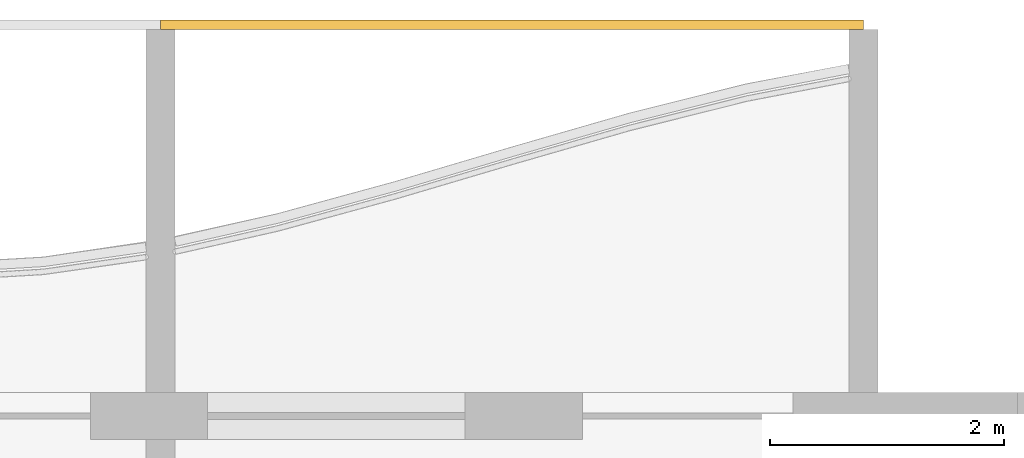
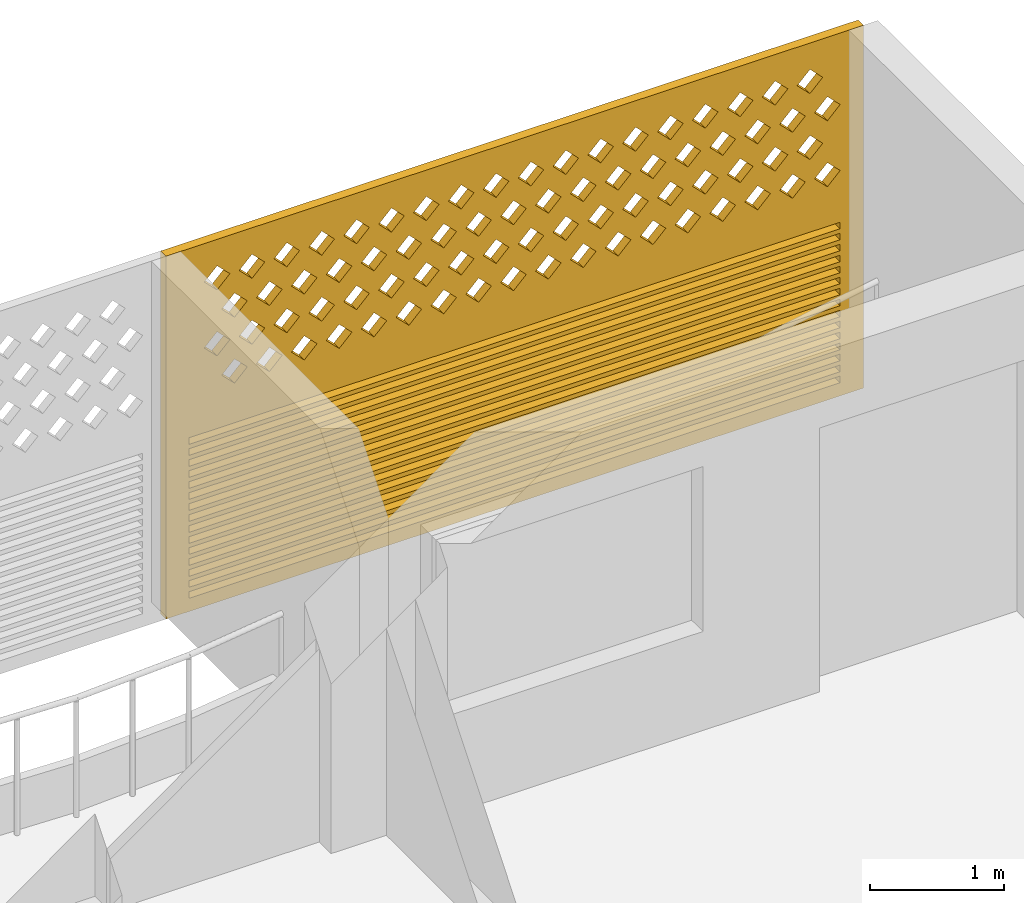
# One storey, part 27 of 27: 1 covering.
"""IFC4 building model written with IfcOpenShell, lengths in metres."""

from ifc_helpers import new_model, si_unit, direction, frame, origin, place, context, subcontext, project, spatial, polyline, outline, extrude, source, transform, mapped, material, material_profile, profile_set, type_object, element, save


model = new_model("IFC4")

# Units and contexts
model_context = context("Model", 3, precision=1e-05, world=origin(), true_north=direction((0.0, 1.0)))
body_context = subcontext(model_context, "Body", "Model", "MODEL_VIEW")
ifc_project = project(units=[si_unit("LENGTHUNIT", "METRE"), si_unit("AREAUNIT", "SQUARE_METRE"), si_unit("VOLUMEUNIT", "CUBIC_METRE"), si_unit("PLANEANGLEUNIT", "RADIAN"), si_unit("MASSUNIT", "GRAM", prefix="KILO")], contexts=[model_context])

# Site, building, storey
site_placement = place(None, origin())
site = spatial("IfcSite", under=ifc_project, at=site_placement, CompositionType="ELEMENT")
building_placement = place(site_placement, origin())
building = spatial("IfcBuilding", under=site, at=building_placement, Name="Poui Terraces", CompositionType="ELEMENT")
storey_placement = place(building_placement, frame((0.0, 0.0, 191.699951171875)))
storey = spatial("IfcBuildingStorey", under=building, at=storey_placement, Name="L53", CompositionType="ELEMENT", Elevation=191.699951171875)

# Covering
ifc_material = material(Name="Terracotta screen", Category="masonry")
ifc_material_profile = material_profile(ifc_material, outline(polyline([(-3.0, -1.64990234375), (3.0, -1.64990234375), (3.0, 1.64990234375), (-3.0, 1.64990234375), (-3.0, -1.64990234375)]), holes=[polyline([(-2.800048828125, 0.39990234375), (-2.68994140625, 0.2900390625), (-2.580078125, 0.39990234375), (-2.68994140625, 0.510009765625), (-2.800048828125, 0.39990234375)]), polyline([(-2.5, 0.39990234375), (-2.389892578125, 0.2900390625), (-2.280029296875, 0.39990234375), (-2.389892578125, 0.510009765625), (-2.5, 0.39990234375)]), polyline([(-2.199951171875, 0.39990234375), (-2.090087890625, 0.2900390625), (-1.97998046875, 0.39990234375), (-2.090087890625, 0.510009765625), (-2.199951171875, 0.39990234375)]), polyline([(-1.89990234375, 0.39990234375), (-1.7900390625, 0.2900390625), (-1.679931640625, 0.39990234375), (-1.7900390625, 0.510009765625), (-1.89990234375, 0.39990234375)]), polyline([(-1.60009765625, 0.39990234375), (-1.489990234375, 0.2900390625), (-1.3798828125, 0.39990234375), (-1.489990234375, 0.510009765625), (-1.60009765625, 0.39990234375)]), polyline([(-1.300048828125, 0.39990234375), (-1.18994140625, 0.2900390625), (-1.080078125, 0.39990234375), (-1.18994140625, 0.510009765625), (-1.300048828125, 0.39990234375)]), polyline([(-1.0, 0.39990234375), (-0.889892578125, 0.2900390625), (-0.780029296875, 0.39990234375), (-0.889892578125, 0.510009765625), (-1.0, 0.39990234375)]), polyline([(-0.699951171875, 0.39990234375), (-0.590087890625, 0.2900390625), (-0.47998046875, 0.39990234375), (-0.590087890625, 0.510009765625), (-0.699951171875, 0.39990234375)]), polyline([(-0.39990234375, 0.39990234375), (-0.2900390625, 0.2900390625), (-0.179931640625, 0.39990234375), (-0.2900390625, 0.510009765625), (-0.39990234375, 0.39990234375)]), polyline([(-0.10009765625, 0.39990234375), (0.010009765625, 0.2900390625), (0.1201171875, 0.39990234375), (0.010009765625, 0.510009765625), (-0.10009765625, 0.39990234375)]), polyline([(0.199951171875, 0.39990234375), (0.31005859375, 0.2900390625), (0.419921875, 0.39990234375), (0.31005859375, 0.510009765625), (0.199951171875, 0.39990234375)]), polyline([(0.5, 0.39990234375), (0.610107421875, 0.2900390625), (0.719970703125, 0.39990234375), (0.610107421875, 0.510009765625), (0.5, 0.39990234375)]), polyline([(0.800048828125, 0.39990234375), (0.909912109375, 0.2900390625), (1.02001953125, 0.39990234375), (0.909912109375, 0.510009765625), (0.800048828125, 0.39990234375)]), polyline([(1.10009765625, 0.39990234375), (1.2099609375, 0.2900390625), (1.320068359375, 0.39990234375), (1.2099609375, 0.510009765625), (1.10009765625, 0.39990234375)]), polyline([(1.39990234375, 0.39990234375), (1.510009765625, 0.2900390625), (1.6201171875, 0.39990234375), (1.510009765625, 0.510009765625), (1.39990234375, 0.39990234375)]), polyline([(1.699951171875, 0.39990234375), (1.81005859375, 0.2900390625), (1.919921875, 0.39990234375), (1.81005859375, 0.510009765625), (1.699951171875, 0.39990234375)]), polyline([(2.0, 0.39990234375), (2.110107421875, 0.2900390625), (2.219970703125, 0.39990234375), (2.110107421875, 0.510009765625), (2.0, 0.39990234375)]), polyline([(2.300048828125, 0.39990234375), (2.409912109375, 0.2900390625), (2.52001953125, 0.39990234375), (2.409912109375, 0.510009765625), (2.300048828125, 0.39990234375)]), polyline([(-2.64990234375, 0.699951171875), (-2.5400390625, 0.590087890625), (-2.429931640625, 0.699951171875), (-2.5400390625, 0.81005859375), (-2.64990234375, 0.699951171875)]), polyline([(-2.35009765625, 0.699951171875), (-2.239990234375, 0.590087890625), (-2.1298828125, 0.699951171875), (-2.239990234375, 0.81005859375), (-2.35009765625, 0.699951171875)]), polyline([(-2.050048828125, 0.699951171875), (-1.93994140625, 0.590087890625), (-1.830078125, 0.699951171875), (-1.93994140625, 0.81005859375), (-2.050048828125, 0.699951171875)]), polyline([(-1.75, 0.699951171875), (-1.639892578125, 0.590087890625), (-1.530029296875, 0.699951171875), (-1.639892578125, 0.81005859375), (-1.75, 0.699951171875)]), polyline([(-1.449951171875, 0.699951171875), (-1.340087890625, 0.590087890625), (-1.22998046875, 0.699951171875), (-1.340087890625, 0.81005859375), (-1.449951171875, 0.699951171875)]), polyline([(-1.14990234375, 0.699951171875), (-1.0400390625, 0.590087890625), (-0.929931640625, 0.699951171875), (-1.0400390625, 0.81005859375), (-1.14990234375, 0.699951171875)]), polyline([(-0.85009765625, 0.699951171875), (-0.739990234375, 0.590087890625), (-0.6298828125, 0.699951171875), (-0.739990234375, 0.81005859375), (-0.85009765625, 0.699951171875)]), polyline([(-0.550048828125, 0.699951171875), (-0.43994140625, 0.590087890625), (-0.330078125, 0.699951171875), (-0.43994140625, 0.81005859375), (-0.550048828125, 0.699951171875)]), polyline([(-0.25, 0.699951171875), (-0.139892578125, 0.590087890625), (-0.030029296875, 0.699951171875), (-0.139892578125, 0.81005859375), (-0.25, 0.699951171875)]), polyline([(0.050048828125, 0.699951171875), (0.159912109375, 0.590087890625), (0.27001953125, 0.699951171875), (0.159912109375, 0.81005859375), (0.050048828125, 0.699951171875)]), polyline([(0.35009765625, 0.699951171875), (0.4599609375, 0.590087890625), (0.570068359375, 0.699951171875), (0.4599609375, 0.81005859375), (0.35009765625, 0.699951171875)]), polyline([(0.64990234375, 0.699951171875), (0.760009765625, 0.590087890625), (0.8701171875, 0.699951171875), (0.760009765625, 0.81005859375), (0.64990234375, 0.699951171875)]), polyline([(0.949951171875, 0.699951171875), (1.06005859375, 0.590087890625), (1.169921875, 0.699951171875), (1.06005859375, 0.81005859375), (0.949951171875, 0.699951171875)]), polyline([(1.25, 0.699951171875), (1.360107421875, 0.590087890625), (1.469970703125, 0.699951171875), (1.360107421875, 0.81005859375), (1.25, 0.699951171875)]), polyline([(1.550048828125, 0.699951171875), (1.659912109375, 0.590087890625), (1.77001953125, 0.699951171875), (1.659912109375, 0.81005859375), (1.550048828125, 0.699951171875)]), polyline([(1.85009765625, 0.699951171875), (1.9599609375, 0.590087890625), (2.070068359375, 0.699951171875), (1.9599609375, 0.81005859375), (1.85009765625, 0.699951171875)]), polyline([(2.14990234375, 0.699951171875), (2.260009765625, 0.590087890625), (2.3701171875, 0.699951171875), (2.260009765625, 0.81005859375), (2.14990234375, 0.699951171875)]), polyline([(2.449951171875, 0.699951171875), (2.56005859375, 0.590087890625), (2.669921875, 0.699951171875), (2.56005859375, 0.81005859375), (2.449951171875, 0.699951171875)]), polyline([(-2.800048828125, 1.0), (-2.68994140625, 0.889892578125), (-2.580078125, 1.0), (-2.68994140625, 1.110107421875), (-2.800048828125, 1.0)]), polyline([(-2.5, 1.0), (-2.389892578125, 0.889892578125), (-2.280029296875, 1.0), (-2.389892578125, 1.110107421875), (-2.5, 1.0)]), polyline([(-2.199951171875, 1.0), (-2.090087890625, 0.889892578125), (-1.97998046875, 1.0), (-2.090087890625, 1.110107421875), (-2.199951171875, 1.0)]), polyline([(-1.89990234375, 1.0), (-1.7900390625, 0.889892578125), (-1.679931640625, 1.0), (-1.7900390625, 1.110107421875), (-1.89990234375, 1.0)]), polyline([(-1.60009765625, 1.0), (-1.489990234375, 0.889892578125), (-1.3798828125, 1.0), (-1.489990234375, 1.110107421875), (-1.60009765625, 1.0)]), polyline([(-1.300048828125, 1.0), (-1.18994140625, 0.889892578125), (-1.080078125, 1.0), (-1.18994140625, 1.110107421875), (-1.300048828125, 1.0)]), polyline([(-1.0, 1.0), (-0.889892578125, 0.889892578125), (-0.780029296875, 1.0), (-0.889892578125, 1.110107421875), (-1.0, 1.0)]), polyline([(-0.699951171875, 1.0), (-0.590087890625, 0.889892578125), (-0.47998046875, 1.0), (-0.590087890625, 1.110107421875), (-0.699951171875, 1.0)]), polyline([(-0.39990234375, 1.0), (-0.2900390625, 0.889892578125), (-0.179931640625, 1.0), (-0.2900390625, 1.110107421875), (-0.39990234375, 1.0)]), polyline([(-0.10009765625, 1.0), (0.010009765625, 0.889892578125), (0.1201171875, 1.0), (0.010009765625, 1.110107421875), (-0.10009765625, 1.0)]), polyline([(0.199951171875, 1.0), (0.31005859375, 0.889892578125), (0.419921875, 1.0), (0.31005859375, 1.110107421875), (0.199951171875, 1.0)]), polyline([(0.5, 1.0), (0.610107421875, 0.889892578125), (0.719970703125, 1.0), (0.610107421875, 1.110107421875), (0.5, 1.0)]), polyline([(0.800048828125, 1.0), (0.909912109375, 0.889892578125), (1.02001953125, 1.0), (0.909912109375, 1.110107421875), (0.800048828125, 1.0)]), polyline([(1.10009765625, 1.0), (1.2099609375, 0.889892578125), (1.320068359375, 1.0), (1.2099609375, 1.110107421875), (1.10009765625, 1.0)]), polyline([(1.39990234375, 1.0), (1.510009765625, 0.889892578125), (1.6201171875, 1.0), (1.510009765625, 1.110107421875), (1.39990234375, 1.0)]), polyline([(1.699951171875, 1.0), (1.81005859375, 0.889892578125), (1.919921875, 1.0), (1.81005859375, 1.110107421875), (1.699951171875, 1.0)]), polyline([(2.0, 1.0), (2.110107421875, 0.889892578125), (2.219970703125, 1.0), (2.110107421875, 1.110107421875), (2.0, 1.0)]), polyline([(2.300048828125, 1.0), (2.409912109375, 0.889892578125), (2.52001953125, 1.0), (2.409912109375, 1.110107421875), (2.300048828125, 1.0)]), polyline([(-2.64990234375, 1.300048828125), (-2.5400390625, 1.18994140625), (-2.429931640625, 1.300048828125), (-2.5400390625, 1.409912109375), (-2.64990234375, 1.300048828125)]), polyline([(-2.35009765625, 1.300048828125), (-2.239990234375, 1.18994140625), (-2.1298828125, 1.300048828125), (-2.239990234375, 1.409912109375), (-2.35009765625, 1.300048828125)]), polyline([(-2.050048828125, 1.300048828125), (-1.93994140625, 1.18994140625), (-1.830078125, 1.300048828125), (-1.93994140625, 1.409912109375), (-2.050048828125, 1.300048828125)]), polyline([(-1.75, 1.300048828125), (-1.639892578125, 1.18994140625), (-1.530029296875, 1.300048828125), (-1.639892578125, 1.409912109375), (-1.75, 1.300048828125)]), polyline([(-1.449951171875, 1.300048828125), (-1.340087890625, 1.18994140625), (-1.22998046875, 1.300048828125), (-1.340087890625, 1.409912109375), (-1.449951171875, 1.300048828125)]), polyline([(-1.14990234375, 1.300048828125), (-1.0400390625, 1.18994140625), (-0.929931640625, 1.300048828125), (-1.0400390625, 1.409912109375), (-1.14990234375, 1.300048828125)]), polyline([(-0.85009765625, 1.300048828125), (-0.739990234375, 1.18994140625), (-0.6298828125, 1.300048828125), (-0.739990234375, 1.409912109375), (-0.85009765625, 1.300048828125)]), polyline([(-0.550048828125, 1.300048828125), (-0.43994140625, 1.18994140625), (-0.330078125, 1.300048828125), (-0.43994140625, 1.409912109375), (-0.550048828125, 1.300048828125)]), polyline([(-0.25, 1.300048828125), (-0.139892578125, 1.18994140625), (-0.030029296875, 1.300048828125), (-0.139892578125, 1.409912109375), (-0.25, 1.300048828125)]), polyline([(0.050048828125, 1.300048828125), (0.159912109375, 1.18994140625), (0.27001953125, 1.300048828125), (0.159912109375, 1.409912109375), (0.050048828125, 1.300048828125)]), polyline([(0.35009765625, 1.300048828125), (0.4599609375, 1.18994140625), (0.570068359375, 1.300048828125), (0.4599609375, 1.409912109375), (0.35009765625, 1.300048828125)]), polyline([(0.64990234375, 1.300048828125), (0.760009765625, 1.18994140625), (0.8701171875, 1.300048828125), (0.760009765625, 1.409912109375), (0.64990234375, 1.300048828125)]), polyline([(0.949951171875, 1.300048828125), (1.06005859375, 1.18994140625), (1.169921875, 1.300048828125), (1.06005859375, 1.409912109375), (0.949951171875, 1.300048828125)]), polyline([(1.25, 1.300048828125), (1.360107421875, 1.18994140625), (1.469970703125, 1.300048828125), (1.360107421875, 1.409912109375), (1.25, 1.300048828125)]), polyline([(1.550048828125, 1.300048828125), (1.659912109375, 1.18994140625), (1.77001953125, 1.300048828125), (1.659912109375, 1.409912109375), (1.550048828125, 1.300048828125)]), polyline([(1.85009765625, 1.300048828125), (1.9599609375, 1.18994140625), (2.070068359375, 1.300048828125), (1.9599609375, 1.409912109375), (1.85009765625, 1.300048828125)]), polyline([(2.14990234375, 1.300048828125), (2.260009765625, 1.18994140625), (2.3701171875, 1.300048828125), (2.260009765625, 1.409912109375), (2.14990234375, 1.300048828125)]), polyline([(2.449951171875, 1.300048828125), (2.56005859375, 1.18994140625), (2.669921875, 1.300048828125), (2.56005859375, 1.409912109375), (2.449951171875, 1.300048828125)]), polyline([(-2.800048828125, -1.530029296875), (2.800048828125, -1.530029296875), (2.800048828125, -1.469970703125), (-2.800048828125, -1.469970703125), (-2.800048828125, -1.530029296875)]), polyline([(-2.800048828125, -1.429931640625), (2.800048828125, -1.429931640625), (2.800048828125, -1.3701171875), (-2.800048828125, -1.3701171875), (-2.800048828125, -1.429931640625)]), polyline([(-2.800048828125, -1.330078125), (2.800048828125, -1.330078125), (2.800048828125, -1.27001953125), (-2.800048828125, -1.27001953125), (-2.800048828125, -1.330078125)]), polyline([(-2.800048828125, -1.22998046875), (2.800048828125, -1.22998046875), (2.800048828125, -1.169921875), (-2.800048828125, -1.169921875), (-2.800048828125, -1.22998046875)]), polyline([(-2.800048828125, -1.1298828125), (2.800048828125, -1.1298828125), (2.800048828125, -1.070068359375), (-2.800048828125, -1.070068359375), (-2.800048828125, -1.1298828125)]), polyline([(-2.800048828125, -1.030029296875), (2.800048828125, -1.030029296875), (2.800048828125, -0.969970703125), (-2.800048828125, -0.969970703125), (-2.800048828125, -1.030029296875)]), polyline([(-2.800048828125, -0.929931640625), (2.800048828125, -0.929931640625), (2.800048828125, -0.8701171875), (-2.800048828125, -0.8701171875), (-2.800048828125, -0.929931640625)]), polyline([(-2.800048828125, -0.830078125), (2.800048828125, -0.830078125), (2.800048828125, -0.77001953125), (-2.800048828125, -0.77001953125), (-2.800048828125, -0.830078125)]), polyline([(-2.800048828125, -0.72998046875), (2.800048828125, -0.72998046875), (2.800048828125, -0.669921875), (-2.800048828125, -0.669921875), (-2.800048828125, -0.72998046875)]), polyline([(-2.800048828125, -0.6298828125), (2.800048828125, -0.6298828125), (2.800048828125, -0.570068359375), (-2.800048828125, -0.570068359375), (-2.800048828125, -0.6298828125)]), polyline([(-2.800048828125, -0.530029296875), (2.800048828125, -0.530029296875), (2.800048828125, -0.469970703125), (-2.800048828125, -0.469970703125), (-2.800048828125, -0.530029296875)]), polyline([(-2.800048828125, -0.429931640625), (2.800048828125, -0.429931640625), (2.800048828125, -0.3701171875), (-2.800048828125, -0.3701171875), (-2.800048828125, -0.429931640625)]), polyline([(-2.800048828125, -0.330078125), (2.800048828125, -0.330078125), (2.800048828125, -0.27001953125), (-2.800048828125, -0.27001953125), (-2.800048828125, -0.330078125)]), polyline([(-2.800048828125, -0.22998046875), (2.800048828125, -0.22998046875), (2.800048828125, -0.169921875), (-2.800048828125, -0.169921875), (-2.800048828125, -0.22998046875)]), polyline([(-2.800048828125, -0.1298828125), (2.800048828125, -0.1298828125), (2.800048828125, -0.070068359375), (-2.800048828125, -0.070068359375), (-2.800048828125, -0.1298828125)])]), Name="TERRACOTTA SCREEN AND JALOUSIE LOUVRE 6000X3300")
ifc_profile_set = profile_set([ifc_material_profile], Name="Terracotta screen")
covering_type = type_object("IfcCoveringType", Name="TERRACOTTA SCREEN AND JALOUSIE LOUVRE 6000X3300", PredefinedType="CLADDING", material=ifc_profile_set)
shared_shape = source(origin(), body_context, "Body", "SweptSolid", [
    extrude(outline(polyline([(-3.0, -1.64990234375), (3.0, -1.64990234375), (3.0, 1.64990234375), (-3.0, 1.64990234375), (-3.0, -1.64990234375)]), holes=[polyline([(-2.800048828125, 0.39990234375), (-2.68994140625, 0.2900390625), (-2.580078125, 0.39990234375), (-2.68994140625, 0.510009765625), (-2.800048828125, 0.39990234375)]), polyline([(-2.5, 0.39990234375), (-2.389892578125, 0.2900390625), (-2.280029296875, 0.39990234375), (-2.389892578125, 0.510009765625), (-2.5, 0.39990234375)]), polyline([(-2.199951171875, 0.39990234375), (-2.090087890625, 0.2900390625), (-1.97998046875, 0.39990234375), (-2.090087890625, 0.510009765625), (-2.199951171875, 0.39990234375)]), polyline([(-1.89990234375, 0.39990234375), (-1.7900390625, 0.2900390625), (-1.679931640625, 0.39990234375), (-1.7900390625, 0.510009765625), (-1.89990234375, 0.39990234375)]), polyline([(-1.60009765625, 0.39990234375), (-1.489990234375, 0.2900390625), (-1.3798828125, 0.39990234375), (-1.489990234375, 0.510009765625), (-1.60009765625, 0.39990234375)]), polyline([(-1.300048828125, 0.39990234375), (-1.18994140625, 0.2900390625), (-1.080078125, 0.39990234375), (-1.18994140625, 0.510009765625), (-1.300048828125, 0.39990234375)]), polyline([(-1.0, 0.39990234375), (-0.889892578125, 0.2900390625), (-0.780029296875, 0.39990234375), (-0.889892578125, 0.510009765625), (-1.0, 0.39990234375)]), polyline([(-0.699951171875, 0.39990234375), (-0.590087890625, 0.2900390625), (-0.47998046875, 0.39990234375), (-0.590087890625, 0.510009765625), (-0.699951171875, 0.39990234375)]), polyline([(-0.39990234375, 0.39990234375), (-0.2900390625, 0.2900390625), (-0.179931640625, 0.39990234375), (-0.2900390625, 0.510009765625), (-0.39990234375, 0.39990234375)]), polyline([(-0.10009765625, 0.39990234375), (0.010009765625, 0.2900390625), (0.1201171875, 0.39990234375), (0.010009765625, 0.510009765625), (-0.10009765625, 0.39990234375)]), polyline([(0.199951171875, 0.39990234375), (0.31005859375, 0.2900390625), (0.419921875, 0.39990234375), (0.31005859375, 0.510009765625), (0.199951171875, 0.39990234375)]), polyline([(0.5, 0.39990234375), (0.610107421875, 0.2900390625), (0.719970703125, 0.39990234375), (0.610107421875, 0.510009765625), (0.5, 0.39990234375)]), polyline([(0.800048828125, 0.39990234375), (0.909912109375, 0.2900390625), (1.02001953125, 0.39990234375), (0.909912109375, 0.510009765625), (0.800048828125, 0.39990234375)]), polyline([(1.10009765625, 0.39990234375), (1.2099609375, 0.2900390625), (1.320068359375, 0.39990234375), (1.2099609375, 0.510009765625), (1.10009765625, 0.39990234375)]), polyline([(1.39990234375, 0.39990234375), (1.510009765625, 0.2900390625), (1.6201171875, 0.39990234375), (1.510009765625, 0.510009765625), (1.39990234375, 0.39990234375)]), polyline([(1.699951171875, 0.39990234375), (1.81005859375, 0.2900390625), (1.919921875, 0.39990234375), (1.81005859375, 0.510009765625), (1.699951171875, 0.39990234375)]), polyline([(2.0, 0.39990234375), (2.110107421875, 0.2900390625), (2.219970703125, 0.39990234375), (2.110107421875, 0.510009765625), (2.0, 0.39990234375)]), polyline([(2.300048828125, 0.39990234375), (2.409912109375, 0.2900390625), (2.52001953125, 0.39990234375), (2.409912109375, 0.510009765625), (2.300048828125, 0.39990234375)]), polyline([(-2.64990234375, 0.699951171875), (-2.5400390625, 0.590087890625), (-2.429931640625, 0.699951171875), (-2.5400390625, 0.81005859375), (-2.64990234375, 0.699951171875)]), polyline([(-2.35009765625, 0.699951171875), (-2.239990234375, 0.590087890625), (-2.1298828125, 0.699951171875), (-2.239990234375, 0.81005859375), (-2.35009765625, 0.699951171875)]), polyline([(-2.050048828125, 0.699951171875), (-1.93994140625, 0.590087890625), (-1.830078125, 0.699951171875), (-1.93994140625, 0.81005859375), (-2.050048828125, 0.699951171875)]), polyline([(-1.75, 0.699951171875), (-1.639892578125, 0.590087890625), (-1.530029296875, 0.699951171875), (-1.639892578125, 0.81005859375), (-1.75, 0.699951171875)]), polyline([(-1.449951171875, 0.699951171875), (-1.340087890625, 0.590087890625), (-1.22998046875, 0.699951171875), (-1.340087890625, 0.81005859375), (-1.449951171875, 0.699951171875)]), polyline([(-1.14990234375, 0.699951171875), (-1.0400390625, 0.590087890625), (-0.929931640625, 0.699951171875), (-1.0400390625, 0.81005859375), (-1.14990234375, 0.699951171875)]), polyline([(-0.85009765625, 0.699951171875), (-0.739990234375, 0.590087890625), (-0.6298828125, 0.699951171875), (-0.739990234375, 0.81005859375), (-0.85009765625, 0.699951171875)]), polyline([(-0.550048828125, 0.699951171875), (-0.43994140625, 0.590087890625), (-0.330078125, 0.699951171875), (-0.43994140625, 0.81005859375), (-0.550048828125, 0.699951171875)]), polyline([(-0.25, 0.699951171875), (-0.139892578125, 0.590087890625), (-0.030029296875, 0.699951171875), (-0.139892578125, 0.81005859375), (-0.25, 0.699951171875)]), polyline([(0.050048828125, 0.699951171875), (0.159912109375, 0.590087890625), (0.27001953125, 0.699951171875), (0.159912109375, 0.81005859375), (0.050048828125, 0.699951171875)]), polyline([(0.35009765625, 0.699951171875), (0.4599609375, 0.590087890625), (0.570068359375, 0.699951171875), (0.4599609375, 0.81005859375), (0.35009765625, 0.699951171875)]), polyline([(0.64990234375, 0.699951171875), (0.760009765625, 0.590087890625), (0.8701171875, 0.699951171875), (0.760009765625, 0.81005859375), (0.64990234375, 0.699951171875)]), polyline([(0.949951171875, 0.699951171875), (1.06005859375, 0.590087890625), (1.169921875, 0.699951171875), (1.06005859375, 0.81005859375), (0.949951171875, 0.699951171875)]), polyline([(1.25, 0.699951171875), (1.360107421875, 0.590087890625), (1.469970703125, 0.699951171875), (1.360107421875, 0.81005859375), (1.25, 0.699951171875)]), polyline([(1.550048828125, 0.699951171875), (1.659912109375, 0.590087890625), (1.77001953125, 0.699951171875), (1.659912109375, 0.81005859375), (1.550048828125, 0.699951171875)]), polyline([(1.85009765625, 0.699951171875), (1.9599609375, 0.590087890625), (2.070068359375, 0.699951171875), (1.9599609375, 0.81005859375), (1.85009765625, 0.699951171875)]), polyline([(2.14990234375, 0.699951171875), (2.260009765625, 0.590087890625), (2.3701171875, 0.699951171875), (2.260009765625, 0.81005859375), (2.14990234375, 0.699951171875)]), polyline([(2.449951171875, 0.699951171875), (2.56005859375, 0.590087890625), (2.669921875, 0.699951171875), (2.56005859375, 0.81005859375), (2.449951171875, 0.699951171875)]), polyline([(-2.800048828125, 1.0), (-2.68994140625, 0.889892578125), (-2.580078125, 1.0), (-2.68994140625, 1.110107421875), (-2.800048828125, 1.0)]), polyline([(-2.5, 1.0), (-2.389892578125, 0.889892578125), (-2.280029296875, 1.0), (-2.389892578125, 1.110107421875), (-2.5, 1.0)]), polyline([(-2.199951171875, 1.0), (-2.090087890625, 0.889892578125), (-1.97998046875, 1.0), (-2.090087890625, 1.110107421875), (-2.199951171875, 1.0)]), polyline([(-1.89990234375, 1.0), (-1.7900390625, 0.889892578125), (-1.679931640625, 1.0), (-1.7900390625, 1.110107421875), (-1.89990234375, 1.0)]), polyline([(-1.60009765625, 1.0), (-1.489990234375, 0.889892578125), (-1.3798828125, 1.0), (-1.489990234375, 1.110107421875), (-1.60009765625, 1.0)]), polyline([(-1.300048828125, 1.0), (-1.18994140625, 0.889892578125), (-1.080078125, 1.0), (-1.18994140625, 1.110107421875), (-1.300048828125, 1.0)]), polyline([(-1.0, 1.0), (-0.889892578125, 0.889892578125), (-0.780029296875, 1.0), (-0.889892578125, 1.110107421875), (-1.0, 1.0)]), polyline([(-0.699951171875, 1.0), (-0.590087890625, 0.889892578125), (-0.47998046875, 1.0), (-0.590087890625, 1.110107421875), (-0.699951171875, 1.0)]), polyline([(-0.39990234375, 1.0), (-0.2900390625, 0.889892578125), (-0.179931640625, 1.0), (-0.2900390625, 1.110107421875), (-0.39990234375, 1.0)]), polyline([(-0.10009765625, 1.0), (0.010009765625, 0.889892578125), (0.1201171875, 1.0), (0.010009765625, 1.110107421875), (-0.10009765625, 1.0)]), polyline([(0.199951171875, 1.0), (0.31005859375, 0.889892578125), (0.419921875, 1.0), (0.31005859375, 1.110107421875), (0.199951171875, 1.0)]), polyline([(0.5, 1.0), (0.610107421875, 0.889892578125), (0.719970703125, 1.0), (0.610107421875, 1.110107421875), (0.5, 1.0)]), polyline([(0.800048828125, 1.0), (0.909912109375, 0.889892578125), (1.02001953125, 1.0), (0.909912109375, 1.110107421875), (0.800048828125, 1.0)]), polyline([(1.10009765625, 1.0), (1.2099609375, 0.889892578125), (1.320068359375, 1.0), (1.2099609375, 1.110107421875), (1.10009765625, 1.0)]), polyline([(1.39990234375, 1.0), (1.510009765625, 0.889892578125), (1.6201171875, 1.0), (1.510009765625, 1.110107421875), (1.39990234375, 1.0)]), polyline([(1.699951171875, 1.0), (1.81005859375, 0.889892578125), (1.919921875, 1.0), (1.81005859375, 1.110107421875), (1.699951171875, 1.0)]), polyline([(2.0, 1.0), (2.110107421875, 0.889892578125), (2.219970703125, 1.0), (2.110107421875, 1.110107421875), (2.0, 1.0)]), polyline([(2.300048828125, 1.0), (2.409912109375, 0.889892578125), (2.52001953125, 1.0), (2.409912109375, 1.110107421875), (2.300048828125, 1.0)]), polyline([(-2.64990234375, 1.300048828125), (-2.5400390625, 1.18994140625), (-2.429931640625, 1.300048828125), (-2.5400390625, 1.409912109375), (-2.64990234375, 1.300048828125)]), polyline([(-2.35009765625, 1.300048828125), (-2.239990234375, 1.18994140625), (-2.1298828125, 1.300048828125), (-2.239990234375, 1.409912109375), (-2.35009765625, 1.300048828125)]), polyline([(-2.050048828125, 1.300048828125), (-1.93994140625, 1.18994140625), (-1.830078125, 1.300048828125), (-1.93994140625, 1.409912109375), (-2.050048828125, 1.300048828125)]), polyline([(-1.75, 1.300048828125), (-1.639892578125, 1.18994140625), (-1.530029296875, 1.300048828125), (-1.639892578125, 1.409912109375), (-1.75, 1.300048828125)]), polyline([(-1.449951171875, 1.300048828125), (-1.340087890625, 1.18994140625), (-1.22998046875, 1.300048828125), (-1.340087890625, 1.409912109375), (-1.449951171875, 1.300048828125)]), polyline([(-1.14990234375, 1.300048828125), (-1.0400390625, 1.18994140625), (-0.929931640625, 1.300048828125), (-1.0400390625, 1.409912109375), (-1.14990234375, 1.300048828125)]), polyline([(-0.85009765625, 1.300048828125), (-0.739990234375, 1.18994140625), (-0.6298828125, 1.300048828125), (-0.739990234375, 1.409912109375), (-0.85009765625, 1.300048828125)]), polyline([(-0.550048828125, 1.300048828125), (-0.43994140625, 1.18994140625), (-0.330078125, 1.300048828125), (-0.43994140625, 1.409912109375), (-0.550048828125, 1.300048828125)]), polyline([(-0.25, 1.300048828125), (-0.139892578125, 1.18994140625), (-0.030029296875, 1.300048828125), (-0.139892578125, 1.409912109375), (-0.25, 1.300048828125)]), polyline([(0.050048828125, 1.300048828125), (0.159912109375, 1.18994140625), (0.27001953125, 1.300048828125), (0.159912109375, 1.409912109375), (0.050048828125, 1.300048828125)]), polyline([(0.35009765625, 1.300048828125), (0.4599609375, 1.18994140625), (0.570068359375, 1.300048828125), (0.4599609375, 1.409912109375), (0.35009765625, 1.300048828125)]), polyline([(0.64990234375, 1.300048828125), (0.760009765625, 1.18994140625), (0.8701171875, 1.300048828125), (0.760009765625, 1.409912109375), (0.64990234375, 1.300048828125)]), polyline([(0.949951171875, 1.300048828125), (1.06005859375, 1.18994140625), (1.169921875, 1.300048828125), (1.06005859375, 1.409912109375), (0.949951171875, 1.300048828125)]), polyline([(1.25, 1.300048828125), (1.360107421875, 1.18994140625), (1.469970703125, 1.300048828125), (1.360107421875, 1.409912109375), (1.25, 1.300048828125)]), polyline([(1.550048828125, 1.300048828125), (1.659912109375, 1.18994140625), (1.77001953125, 1.300048828125), (1.659912109375, 1.409912109375), (1.550048828125, 1.300048828125)]), polyline([(1.85009765625, 1.300048828125), (1.9599609375, 1.18994140625), (2.070068359375, 1.300048828125), (1.9599609375, 1.409912109375), (1.85009765625, 1.300048828125)]), polyline([(2.14990234375, 1.300048828125), (2.260009765625, 1.18994140625), (2.3701171875, 1.300048828125), (2.260009765625, 1.409912109375), (2.14990234375, 1.300048828125)]), polyline([(2.449951171875, 1.300048828125), (2.56005859375, 1.18994140625), (2.669921875, 1.300048828125), (2.56005859375, 1.409912109375), (2.449951171875, 1.300048828125)]), polyline([(-2.800048828125, -1.530029296875), (2.800048828125, -1.530029296875), (2.800048828125, -1.469970703125), (-2.800048828125, -1.469970703125), (-2.800048828125, -1.530029296875)]), polyline([(-2.800048828125, -1.429931640625), (2.800048828125, -1.429931640625), (2.800048828125, -1.3701171875), (-2.800048828125, -1.3701171875), (-2.800048828125, -1.429931640625)]), polyline([(-2.800048828125, -1.330078125), (2.800048828125, -1.330078125), (2.800048828125, -1.27001953125), (-2.800048828125, -1.27001953125), (-2.800048828125, -1.330078125)]), polyline([(-2.800048828125, -1.22998046875), (2.800048828125, -1.22998046875), (2.800048828125, -1.169921875), (-2.800048828125, -1.169921875), (-2.800048828125, -1.22998046875)]), polyline([(-2.800048828125, -1.1298828125), (2.800048828125, -1.1298828125), (2.800048828125, -1.070068359375), (-2.800048828125, -1.070068359375), (-2.800048828125, -1.1298828125)]), polyline([(-2.800048828125, -1.030029296875), (2.800048828125, -1.030029296875), (2.800048828125, -0.969970703125), (-2.800048828125, -0.969970703125), (-2.800048828125, -1.030029296875)]), polyline([(-2.800048828125, -0.929931640625), (2.800048828125, -0.929931640625), (2.800048828125, -0.8701171875), (-2.800048828125, -0.8701171875), (-2.800048828125, -0.929931640625)]), polyline([(-2.800048828125, -0.830078125), (2.800048828125, -0.830078125), (2.800048828125, -0.77001953125), (-2.800048828125, -0.77001953125), (-2.800048828125, -0.830078125)]), polyline([(-2.800048828125, -0.72998046875), (2.800048828125, -0.72998046875), (2.800048828125, -0.669921875), (-2.800048828125, -0.669921875), (-2.800048828125, -0.72998046875)]), polyline([(-2.800048828125, -0.6298828125), (2.800048828125, -0.6298828125), (2.800048828125, -0.570068359375), (-2.800048828125, -0.570068359375), (-2.800048828125, -0.6298828125)]), polyline([(-2.800048828125, -0.530029296875), (2.800048828125, -0.530029296875), (2.800048828125, -0.469970703125), (-2.800048828125, -0.469970703125), (-2.800048828125, -0.530029296875)]), polyline([(-2.800048828125, -0.429931640625), (2.800048828125, -0.429931640625), (2.800048828125, -0.3701171875), (-2.800048828125, -0.3701171875), (-2.800048828125, -0.429931640625)]), polyline([(-2.800048828125, -0.330078125), (2.800048828125, -0.330078125), (2.800048828125, -0.27001953125), (-2.800048828125, -0.27001953125), (-2.800048828125, -0.330078125)]), polyline([(-2.800048828125, -0.22998046875), (2.800048828125, -0.22998046875), (2.800048828125, -0.169921875), (-2.800048828125, -0.169921875), (-2.800048828125, -0.22998046875)]), polyline([(-2.800048828125, -0.1298828125), (2.800048828125, -0.1298828125), (2.800048828125, -0.070068359375), (-2.800048828125, -0.070068359375), (-2.800048828125, -0.1298828125)])]), origin(), (0.0, 0.0, 1.0), 0.080078125),
])
covering_placement = place(storey_placement, frame((75.0, 44.5, 1.449951171875), z_axis=(0.0, 1.0, 0.0), x_axis=(-1.0, 0.0, 0.0)))
element("IfcCovering", 1, at=covering_placement, inside=storey, type_object=covering_type, Name="SOLAR SCREEN AND JALOUSIE LOUVRE", PredefinedType="CLADDING", context=body_context, shape_type="MappedRepresentation", body=[
    mapped(shared_shape, transform((0.0, 0.0, 0.0))),
])

save(model, "model.ifc")
